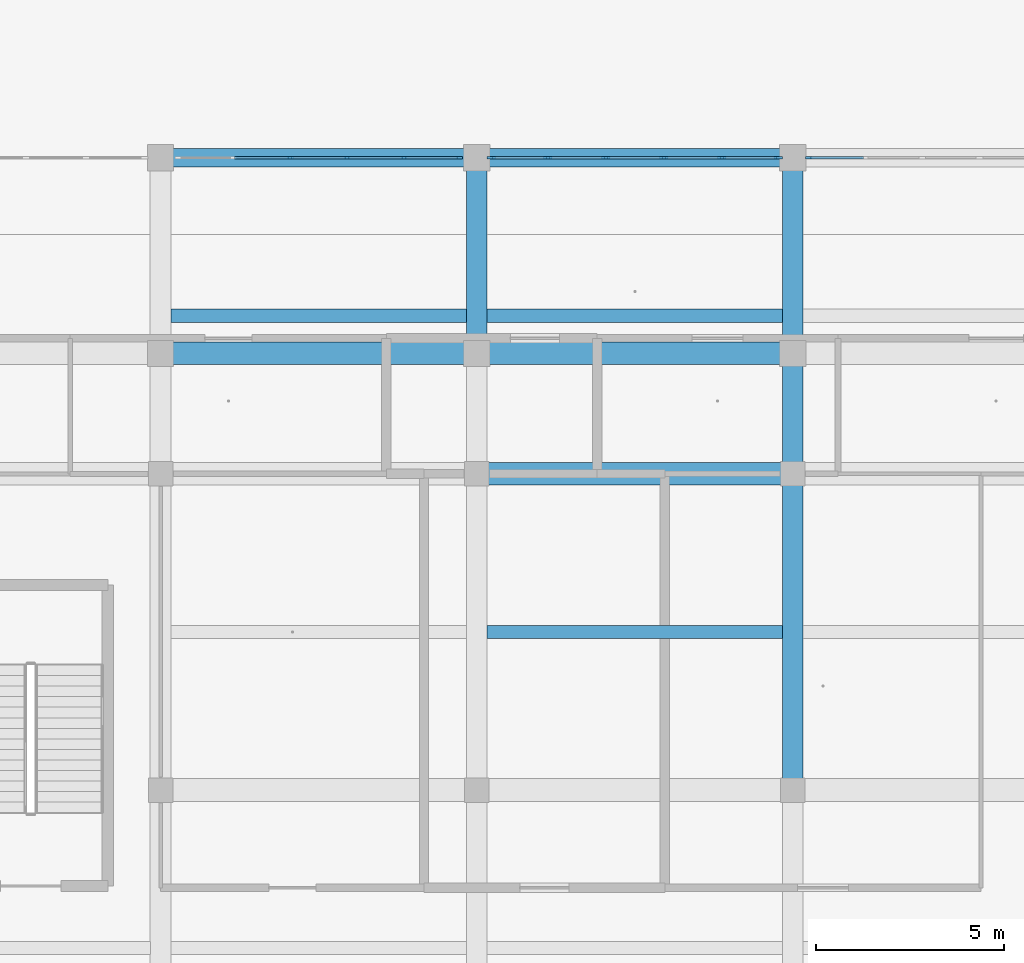
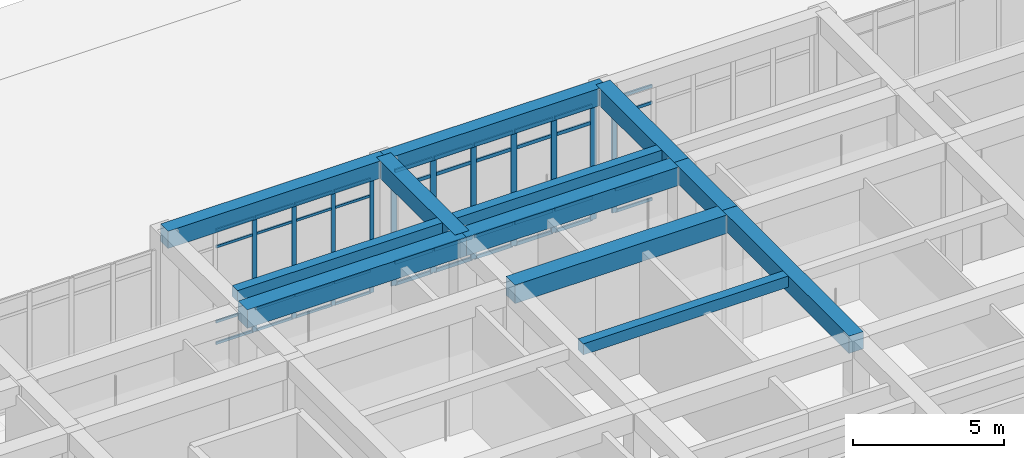
# One storey, part 34 of 167: 51 members, 12 beams, 3 elements without a shape of their own.
"""IFC4 building model written with IfcOpenShell, lengths in metres."""

from ifc_helpers import new_model, si_unit, direction, frame, origin, origin_2d, place, context, subcontext, project, spatial, rectangle, extrude, material, material_profile, profile_set, type_object, element, aggregate, save


model = new_model("IFC4")

# Units and contexts
model_context = context("Model", 3, precision=1e-05, world=origin(), true_north=direction((0.0, 1.0)))
body_context = subcontext(model_context, "Body", "Model", "MODEL_VIEW")
ifc_project = project(units=[si_unit("LENGTHUNIT", "METRE"), si_unit("AREAUNIT", "SQUARE_METRE"), si_unit("VOLUMEUNIT", "CUBIC_METRE"), si_unit("PLANEANGLEUNIT", "RADIAN"), si_unit("MASSUNIT", "GRAM", prefix="KILO")], contexts=[model_context])

# Site, building, storey
site_placement = place(None, origin())
site = spatial("IfcSite", under=ifc_project, at=site_placement, CompositionType="ELEMENT")
building_placement = place(site_placement, origin())
building = spatial("IfcBuilding", under=site, at=building_placement, Name="Varncliffe General Hospital", CompositionType="ELEMENT")
storey_placement = place(building_placement, origin())
storey = spatial("IfcBuildingStorey", under=building, at=storey_placement, Name="L00", CompositionType="ELEMENT", Elevation=0.0)

# Beams
ifc_material_1 = material(Name="Concrete C35/45 (CSA A23.1 35 MPa)", Category="concrete")
ifc_material_profile_1 = material_profile(ifc_material_1, rectangle(XDim=0.60009765625, YDim=0.75, at=origin_2d()), Name="RC 600x750")
ifc_profile_set_1 = profile_set([ifc_material_profile_1], Name="Concrete C35/45 (CSA A23.1 35 MPa)")
beam_type_1 = type_object("IfcBeamType", Name="Beam B23 (Int RC 600x750)", PredefinedType="BEAM", material=ifc_profile_set_1)
for number, where, z_axis, x_axis, name in (
    (1, (84.0, 99.60009765625, 5.02490234375), (1.0, 0.0, 0.0), (0.0, 1.0, 0.0), "L00 Primary Beam B23-160"),
    (2, (75.60009765625, 102.800048828125, 5.02490234375), (1.0, 0.0, 0.0), (0.0, 1.0, 0.0), "L00 Primary Beam B23-180"),
    (3, (84.0, 102.800048828125, 5.02490234375), (1.0, 0.0, 0.0), (0.0, 1.0, 0.0), "L00 Primary Beam B23-181"),
):
    element("IfcBeam", number, at=place(storey_placement, frame(where, z_axis=z_axis, x_axis=x_axis)), inside=storey, type_object=beam_type_1, Name=name, PredefinedType="BEAM", context=body_context, shape_type="SweptSolid", body=[
        extrude(rectangle(XDim=0.60009765625, YDim=0.75, at=origin_2d()), origin(), (0.0, 0.0, 1.0), 8.39990234375),
    ])
ifc_material_profile_2 = material_profile(ifc_material_1, rectangle(XDim=0.550048828125, YDim=0.699951171875, at=origin_2d()), Name="RC 550x700")
ifc_profile_set_2 = profile_set([ifc_material_profile_2], Name="Concrete C35/45 (CSA A23.1 35 MPa)")
beam_type_2 = type_object("IfcBeamType", Name="Beam B35 (Int RC 550x700)", PredefinedType="BEAM", material=ifc_profile_set_2)
beam_1_placement = place(storey_placement, frame((84.0, 102.800048828125, 5.050048828125), z_axis=(0.0, 1.0, 0.0), x_axis=(-1.0, 0.0, 0.0)))
element("IfcBeam", 4, at=beam_1_placement, inside=storey, type_object=beam_type_2, Name="L00 Primary Beam B35-391", PredefinedType="BEAM", context=body_context, shape_type="SweptSolid", body=[
    extrude(rectangle(XDim=0.550048828125, YDim=0.699951171875, at=origin_2d()), origin(), (0.0, 0.0, 1.0), 5.199951171875),
])
beam_2_placement = place(storey_placement, frame((92.39990234375, 91.199951171875, 5.050048828125), z_axis=(0.0, 1.0, 0.0), x_axis=(-1.0, 0.0, 0.0)))
element("IfcBeam", 5, at=beam_2_placement, inside=storey, type_object=beam_type_2, Name="L00 Primary Beam B35-396", PredefinedType="BEAM", context=body_context, shape_type="SweptSolid", body=[
    extrude(rectangle(XDim=0.550048828125, YDim=0.699951171875, at=origin_2d()), origin(), (0.0, 0.0, 1.0), 8.400146484375),
])
beam_3_placement = place(storey_placement, frame((92.39990234375, 99.60009765625, 5.050048828125), z_axis=(0.0, 1.0, 0.0), x_axis=(-1.0, 0.0, 0.0)))
element("IfcBeam", 6, at=beam_3_placement, inside=storey, type_object=beam_type_2, Name="L00 Primary Beam B35-397", PredefinedType="BEAM", context=body_context, shape_type="SweptSolid", body=[
    extrude(rectangle(XDim=0.550048828125, YDim=0.699951171875, at=origin_2d()), origin(), (0.0, 0.0, 1.0), 3.199951171875),
])
beam_4_placement = place(storey_placement, frame((92.39990234375, 102.800048828125, 5.050048828125), z_axis=(0.0, 1.0, 0.0), x_axis=(-1.0, 0.0, 0.0)))
element("IfcBeam", 7, at=beam_4_placement, inside=storey, type_object=beam_type_2, Name="L00 Primary Beam B35-398", PredefinedType="BEAM", context=body_context, shape_type="SweptSolid", body=[
    extrude(rectangle(XDim=0.550048828125, YDim=0.699951171875, at=origin_2d()), origin(), (0.0, 0.0, 1.0), 5.199951171875),
])

# Curtain wall, member
ifc_material_2 = material(Name="Triple low-E argon insulated vision glazing", Category="glass")
curtain_wall_type_1 = type_object("IfcCurtainWallType", Name="Unitised Glazed Curtain Wall CW11 (7624x4640)", PredefinedType="USERDEFINED", material=ifc_material_2)
curtain_wall_1_placement = place(storey_placement, origin())
curtain_wall_1 = element("IfcCurtainWall", 8, at=curtain_wall_1_placement, inside=storey, type_object=curtain_wall_type_1, Name="L00 Glazed Curtain Wall CW11-4", ObjectType="GLAZED CURTAIN WALL", PredefinedType="USERDEFINED")
ifc_material_3 = material(Name="Dark bronze thermally broken aluminium framing", Category="aluminium")
ifc_material_profile_3 = material_profile(ifc_material_3, rectangle(XDim=0.074951171875, YDim=0.179931640625, at=origin_2d()), Name="ALU 75x180")
ifc_profile_set_3 = profile_set([ifc_material_profile_3], Name="Dark bronze thermally broken aluminium framing")
member_type_1 = type_object("IfcMemberType", Name="Curtain Wall Mullion CM44 (ALU 75x180)", PredefinedType="MULLION", material=ifc_profile_set_3)
member_1_placement = place(storey_placement, frame((92.825439453125, 108.0, 0.0), z_axis=(0.0, 0.0, 1.0), x_axis=(0.0, 1.0, 0.0)))
member_1 = element("IfcMember", 9, at=member_1_placement, type_object=member_type_1, Name="CW11 mullion 1", PredefinedType="MULLION", context=body_context, shape_type="SweptSolid", body=[
    extrude(rectangle(XDim=0.074951171875, YDim=0.179931640625, at=origin_2d()), origin(), (0.0, 0.0, 1.0), 4.639892578125),
])

# Curtain wall, members
curtain_wall_type_2 = type_object("IfcCurtainWallType", Name="Unitised Glazed Curtain Wall CW47 (7544x4640)", PredefinedType="USERDEFINED", material=ifc_material_2)
curtain_wall_2_placement = place(storey_placement, origin())
curtain_wall_2 = element("IfcCurtainWall", 10, at=curtain_wall_2_placement, inside=storey, type_object=curtain_wall_type_2, Name="L00 Glazed Curtain Wall CW47-2", ObjectType="GLAZED CURTAIN WALL", PredefinedType="USERDEFINED")
ifc_material_profile_4 = material_profile(ifc_material_3, rectangle(XDim=0.06494140625, YDim=0.159912109375, at=origin_2d()), Name="ALU 65x160")
ifc_profile_set_4 = profile_set([ifc_material_profile_4], Name="Dark bronze thermally broken aluminium framing")
member_type_2 = type_object("IfcMemberType", Name="Curtain Wall Mullion CM65 (ALU 65x160)", PredefinedType="MULLION", material=ifc_profile_set_4)
member_2_placement = place(storey_placement, frame((79.045654296875, 108.0, 0.0), z_axis=(0.0, 0.0, 1.0), x_axis=(0.0, 1.0, 0.0)))
member_2 = element("IfcMember", 11, at=member_2_placement, type_object=member_type_2, Name="CW47 mullion 3", PredefinedType="MULLION", context=body_context, shape_type="SweptSolid", body=[
    extrude(rectangle(XDim=0.06494140625, YDim=0.159912109375, at=origin_2d()), origin(), (0.0, 0.0, 1.0), 4.639892578125),
])
member_3_placement = place(storey_placement, frame((80.554443359375, 108.0, 0.0), z_axis=(0.0, 0.0, 1.0), x_axis=(0.0, 1.0, 0.0)))
member_3 = element("IfcMember", 12, at=member_3_placement, type_object=member_type_2, Name="CW47 mullion 4", PredefinedType="MULLION", context=body_context, shape_type="SweptSolid", body=[
    extrude(rectangle(XDim=0.06494140625, YDim=0.159912109375, at=origin_2d()), origin(), (0.0, 0.0, 1.0), 4.639892578125),
])
member_4_placement = place(storey_placement, frame((82.063232421875, 108.0, 0.0), z_axis=(0.0, 0.0, 1.0), x_axis=(0.0, 1.0, 0.0)))
member_4 = element("IfcMember", 13, at=member_4_placement, type_object=member_type_2, Name="CW47 mullion 5", PredefinedType="MULLION", context=body_context, shape_type="SweptSolid", body=[
    extrude(rectangle(XDim=0.06494140625, YDim=0.159912109375, at=origin_2d()), origin(), (0.0, 0.0, 1.0), 4.639892578125),
])
member_5_placement = place(storey_placement, frame((83.53955078125, 108.0, 0.0), z_axis=(0.0, 0.0, 1.0), x_axis=(0.0, 1.0, 0.0)))
member_5 = element("IfcMember", 14, at=member_5_placement, type_object=member_type_2, Name="CW47 mullion 6", PredefinedType="MULLION", context=body_context, shape_type="SweptSolid", body=[
    extrude(rectangle(XDim=0.06494140625, YDim=0.159912109375, at=origin_2d()), origin(), (0.0, 0.0, 1.0), 4.639892578125),
])

curtain_wall_type_3 = type_object("IfcCurtainWallType", Name="Unitised Glazed Curtain Wall CW51 (7704x4640)", PredefinedType="USERDEFINED", material=ifc_material_2)
curtain_wall_3_placement = place(storey_placement, origin())
curtain_wall_3 = element("IfcCurtainWall", 15, at=curtain_wall_3_placement, inside=storey, type_object=curtain_wall_type_3, Name="L00 Glazed Curtain Wall CW51-3", ObjectType="GLAZED CURTAIN WALL", PredefinedType="USERDEFINED")
ifc_material_profile_5 = material_profile(ifc_material_3, rectangle(XDim=0.074951171875, YDim=0.219970703125, at=origin_2d()), Name="ALU 75x220")
ifc_profile_set_5 = profile_set([ifc_material_profile_5], Name="Dark bronze thermally broken aluminium framing")
member_type_3 = type_object("IfcMemberType", Name="Curtain Wall Mullion CM74 (ALU 75x220)", PredefinedType="MULLION", material=ifc_profile_set_5)
member_6_placement = place(storey_placement, frame((84.385498046875, 108.0, 0.0), z_axis=(0.0, 0.0, 1.0), x_axis=(0.0, 1.0, 0.0)))
member_6 = element("IfcMember", 16, at=member_6_placement, type_object=member_type_3, Name="CW51 mullion 1", PredefinedType="MULLION", context=body_context, shape_type="SweptSolid", body=[
    extrude(rectangle(XDim=0.074951171875, YDim=0.219970703125, at=origin_2d()), origin(), (0.0, 0.0, 1.0), 4.639892578125),
])
member_7_placement = place(storey_placement, frame((85.888916015625, 108.0, 0.0), z_axis=(0.0, 0.0, 1.0), x_axis=(0.0, 1.0, 0.0)))
member_7 = element("IfcMember", 17, at=member_7_placement, type_object=member_type_3, Name="CW51 mullion 2", PredefinedType="MULLION", context=body_context, shape_type="SweptSolid", body=[
    extrude(rectangle(XDim=0.074951171875, YDim=0.219970703125, at=origin_2d()), origin(), (0.0, 0.0, 1.0), 4.639892578125),
])
member_8_placement = place(storey_placement, frame((87.4296875, 108.0, 0.0), z_axis=(0.0, 0.0, 1.0), x_axis=(0.0, 1.0, 0.0)))
member_8 = element("IfcMember", 18, at=member_8_placement, type_object=member_type_3, Name="CW51 mullion 3", PredefinedType="MULLION", context=body_context, shape_type="SweptSolid", body=[
    extrude(rectangle(XDim=0.074951171875, YDim=0.219970703125, at=origin_2d()), origin(), (0.0, 0.0, 1.0), 4.639892578125),
])
member_9_placement = place(storey_placement, frame((88.970458984375, 108.0, 0.0), z_axis=(0.0, 0.0, 1.0), x_axis=(0.0, 1.0, 0.0)))
member_9 = element("IfcMember", 19, at=member_9_placement, type_object=member_type_3, Name="CW51 mullion 4", PredefinedType="MULLION", context=body_context, shape_type="SweptSolid", body=[
    extrude(rectangle(XDim=0.074951171875, YDim=0.219970703125, at=origin_2d()), origin(), (0.0, 0.0, 1.0), 4.639892578125),
])
member_10_placement = place(storey_placement, frame((90.51123046875, 108.0, 0.0), z_axis=(0.0, 0.0, 1.0), x_axis=(0.0, 1.0, 0.0)))
member_10 = element("IfcMember", 20, at=member_10_placement, type_object=member_type_3, Name="CW51 mullion 5", PredefinedType="MULLION", context=body_context, shape_type="SweptSolid", body=[
    extrude(rectangle(XDim=0.074951171875, YDim=0.219970703125, at=origin_2d()), origin(), (0.0, 0.0, 1.0), 4.639892578125),
])
member_11_placement = place(storey_placement, frame((92.014404296875, 108.0, 0.0), z_axis=(0.0, 0.0, 1.0), x_axis=(0.0, 1.0, 0.0)))
member_11 = element("IfcMember", 21, at=member_11_placement, type_object=member_type_3, Name="CW51 mullion 6", PredefinedType="MULLION", context=body_context, shape_type="SweptSolid", body=[
    extrude(rectangle(XDim=0.074951171875, YDim=0.219970703125, at=origin_2d()), origin(), (0.0, 0.0, 1.0), 4.639892578125),
])

# Member
ifc_material_profile_6 = material_profile(ifc_material_3, rectangle(XDim=0.06005859375, YDim=0.1201171875, at=origin_2d()), Name="ALU 60x120")
ifc_profile_set_6 = profile_set([ifc_material_profile_6], Name="Dark bronze thermally broken aluminium framing")
member_type_4 = type_object("IfcMemberType", Name="Curtain Wall Transom CT14 (ALU 60x120)", PredefinedType="USERDEFINED", material=ifc_profile_set_6)
member_12_placement = place(storey_placement, frame((92.863037109375, 108.0, 0.030029296875), z_axis=(1.0, 0.0, 0.0), x_axis=(0.0, 1.0, 0.0)))
member_12 = element("IfcMember", 22, at=member_12_placement, type_object=member_type_4, Name="CW11 transom 1.1", ObjectType="TRANSOM", PredefinedType="USERDEFINED", context=body_context, shape_type="SweptSolid", body=[
    extrude(rectangle(XDim=0.06005859375, YDim=0.1201171875, at=origin_2d()), origin(), (0.0, 0.0, 1.0), 1.412353515625),
])

member_13_placement = place(storey_placement, frame((92.863037109375, 108.0, 0.89990234375), z_axis=(1.0, 0.0, 0.0), x_axis=(0.0, 1.0, 0.0)))
member_13 = element("IfcMember", 23, at=member_13_placement, type_object=member_type_4, Name="CW11 transom 1.2", ObjectType="TRANSOM", PredefinedType="USERDEFINED", context=body_context, shape_type="SweptSolid", body=[
    extrude(rectangle(XDim=0.06005859375, YDim=0.1201171875, at=origin_2d()), origin(), (0.0, 0.0, 1.0), 1.412353515625),
])

member_14_placement = place(storey_placement, frame((92.863037109375, 108.0, 3.93994140625), z_axis=(1.0, 0.0, 0.0), x_axis=(0.0, 1.0, 0.0)))
member_14 = element("IfcMember", 24, at=member_14_placement, type_object=member_type_4, Name="CW11 transom 1.3", ObjectType="TRANSOM", PredefinedType="USERDEFINED", context=body_context, shape_type="SweptSolid", body=[
    extrude(rectangle(XDim=0.06005859375, YDim=0.1201171875, at=origin_2d()), origin(), (0.0, 0.0, 1.0), 1.412353515625),
])

member_15_placement = place(storey_placement, frame((92.863037109375, 108.0, 4.610107421875), z_axis=(1.0, 0.0, 0.0), x_axis=(0.0, 1.0, 0.0)))
member_15 = element("IfcMember", 25, at=member_15_placement, type_object=member_type_4, Name="CW11 transom 1.4", ObjectType="TRANSOM", PredefinedType="USERDEFINED", context=body_context, shape_type="SweptSolid", body=[
    extrude(rectangle(XDim=0.06005859375, YDim=0.1201171875, at=origin_2d()), origin(), (0.0, 0.0, 1.0), 1.412353515625),
])

aggregate(curtain_wall_1, [member_1, member_12, member_13, member_14, member_15])

ifc_material_profile_7 = material_profile(ifc_material_3, rectangle(XDim=0.06005859375, YDim=0.10009765625, at=origin_2d()), Name="ALU 60x100")
ifc_profile_set_7 = profile_set([ifc_material_profile_7], Name="Dark bronze thermally broken aluminium framing")
member_type_5 = type_object("IfcMemberType", Name="Curtain Wall Transom CT18 (ALU 60x100)", PredefinedType="USERDEFINED", material=ifc_profile_set_7)
member_16_placement = place(storey_placement, frame((77.5693359375, 108.0, 0.030029296875), z_axis=(1.0, 0.0, 0.0), x_axis=(0.0, 1.0, 0.0)))
member_16 = element("IfcMember", 26, at=member_16_placement, type_object=member_type_5, Name="CW47 transom 2.1", ObjectType="TRANSOM", PredefinedType="USERDEFINED", context=body_context, shape_type="SweptSolid", body=[
    extrude(rectangle(XDim=0.06005859375, YDim=0.10009765625, at=origin_2d()), origin(), (0.0, 0.0, 1.0), 1.44384765625),
])

member_17_placement = place(storey_placement, frame((77.5693359375, 108.0, 0.89990234375), z_axis=(1.0, 0.0, 0.0), x_axis=(0.0, 1.0, 0.0)))
member_17 = element("IfcMember", 27, at=member_17_placement, type_object=member_type_5, Name="CW47 transom 2.2", ObjectType="TRANSOM", PredefinedType="USERDEFINED", context=body_context, shape_type="SweptSolid", body=[
    extrude(rectangle(XDim=0.06005859375, YDim=0.10009765625, at=origin_2d()), origin(), (0.0, 0.0, 1.0), 1.44384765625),
])

member_18_placement = place(storey_placement, frame((77.5693359375, 108.0, 3.93994140625), z_axis=(1.0, 0.0, 0.0), x_axis=(0.0, 1.0, 0.0)))
member_18 = element("IfcMember", 28, at=member_18_placement, type_object=member_type_5, Name="CW47 transom 2.3", ObjectType="TRANSOM", PredefinedType="USERDEFINED", context=body_context, shape_type="SweptSolid", body=[
    extrude(rectangle(XDim=0.06005859375, YDim=0.10009765625, at=origin_2d()), origin(), (0.0, 0.0, 1.0), 1.44384765625),
])

member_19_placement = place(storey_placement, frame((77.5693359375, 108.0, 4.610107421875), z_axis=(1.0, 0.0, 0.0), x_axis=(0.0, 1.0, 0.0)))
member_19 = element("IfcMember", 29, at=member_19_placement, type_object=member_type_5, Name="CW47 transom 2.4", ObjectType="TRANSOM", PredefinedType="USERDEFINED", context=body_context, shape_type="SweptSolid", body=[
    extrude(rectangle(XDim=0.06005859375, YDim=0.10009765625, at=origin_2d()), origin(), (0.0, 0.0, 1.0), 1.44384765625),
])

member_20_placement = place(storey_placement, frame((79.078125, 108.0, 0.030029296875), z_axis=(1.0, 0.0, 0.0), x_axis=(0.0, 1.0, 0.0)))
member_20 = element("IfcMember", 30, at=member_20_placement, type_object=member_type_5, Name="CW47 transom 3.1", ObjectType="TRANSOM", PredefinedType="USERDEFINED", context=body_context, shape_type="SweptSolid", body=[
    extrude(rectangle(XDim=0.06005859375, YDim=0.10009765625, at=origin_2d()), origin(), (0.0, 0.0, 1.0), 1.44384765625),
])

member_21_placement = place(storey_placement, frame((79.078125, 108.0, 0.89990234375), z_axis=(1.0, 0.0, 0.0), x_axis=(0.0, 1.0, 0.0)))
member_21 = element("IfcMember", 31, at=member_21_placement, type_object=member_type_5, Name="CW47 transom 3.2", ObjectType="TRANSOM", PredefinedType="USERDEFINED", context=body_context, shape_type="SweptSolid", body=[
    extrude(rectangle(XDim=0.06005859375, YDim=0.10009765625, at=origin_2d()), origin(), (0.0, 0.0, 1.0), 1.44384765625),
])

member_22_placement = place(storey_placement, frame((79.078125, 108.0, 3.93994140625), z_axis=(1.0, 0.0, 0.0), x_axis=(0.0, 1.0, 0.0)))
member_22 = element("IfcMember", 32, at=member_22_placement, type_object=member_type_5, Name="CW47 transom 3.3", ObjectType="TRANSOM", PredefinedType="USERDEFINED", context=body_context, shape_type="SweptSolid", body=[
    extrude(rectangle(XDim=0.06005859375, YDim=0.10009765625, at=origin_2d()), origin(), (0.0, 0.0, 1.0), 1.44384765625),
])

member_23_placement = place(storey_placement, frame((79.078125, 108.0, 4.610107421875), z_axis=(1.0, 0.0, 0.0), x_axis=(0.0, 1.0, 0.0)))
member_23 = element("IfcMember", 33, at=member_23_placement, type_object=member_type_5, Name="CW47 transom 3.4", ObjectType="TRANSOM", PredefinedType="USERDEFINED", context=body_context, shape_type="SweptSolid", body=[
    extrude(rectangle(XDim=0.06005859375, YDim=0.10009765625, at=origin_2d()), origin(), (0.0, 0.0, 1.0), 1.44384765625),
])

member_24_placement = place(storey_placement, frame((80.5869140625, 108.0, 0.030029296875), z_axis=(1.0, 0.0, 0.0), x_axis=(0.0, 1.0, 0.0)))
member_24 = element("IfcMember", 34, at=member_24_placement, type_object=member_type_5, Name="CW47 transom 4.1", ObjectType="TRANSOM", PredefinedType="USERDEFINED", context=body_context, shape_type="SweptSolid", body=[
    extrude(rectangle(XDim=0.06005859375, YDim=0.10009765625, at=origin_2d()), origin(), (0.0, 0.0, 1.0), 1.44384765625),
])

member_25_placement = place(storey_placement, frame((80.5869140625, 108.0, 0.89990234375), z_axis=(1.0, 0.0, 0.0), x_axis=(0.0, 1.0, 0.0)))
member_25 = element("IfcMember", 35, at=member_25_placement, type_object=member_type_5, Name="CW47 transom 4.2", ObjectType="TRANSOM", PredefinedType="USERDEFINED", context=body_context, shape_type="SweptSolid", body=[
    extrude(rectangle(XDim=0.06005859375, YDim=0.10009765625, at=origin_2d()), origin(), (0.0, 0.0, 1.0), 1.44384765625),
])

member_26_placement = place(storey_placement, frame((80.5869140625, 108.0, 3.93994140625), z_axis=(1.0, 0.0, 0.0), x_axis=(0.0, 1.0, 0.0)))
member_26 = element("IfcMember", 36, at=member_26_placement, type_object=member_type_5, Name="CW47 transom 4.3", ObjectType="TRANSOM", PredefinedType="USERDEFINED", context=body_context, shape_type="SweptSolid", body=[
    extrude(rectangle(XDim=0.06005859375, YDim=0.10009765625, at=origin_2d()), origin(), (0.0, 0.0, 1.0), 1.44384765625),
])

member_27_placement = place(storey_placement, frame((80.5869140625, 108.0, 4.610107421875), z_axis=(1.0, 0.0, 0.0), x_axis=(0.0, 1.0, 0.0)))
member_27 = element("IfcMember", 37, at=member_27_placement, type_object=member_type_5, Name="CW47 transom 4.4", ObjectType="TRANSOM", PredefinedType="USERDEFINED", context=body_context, shape_type="SweptSolid", body=[
    extrude(rectangle(XDim=0.06005859375, YDim=0.10009765625, at=origin_2d()), origin(), (0.0, 0.0, 1.0), 1.44384765625),
])

member_28_placement = place(storey_placement, frame((82.095703125, 108.0, 0.030029296875), z_axis=(1.0, 0.0, 0.0), x_axis=(0.0, 1.0, 0.0)))
member_28 = element("IfcMember", 38, at=member_28_placement, type_object=member_type_5, Name="CW47 transom 5.1", ObjectType="TRANSOM", PredefinedType="USERDEFINED", context=body_context, shape_type="SweptSolid", body=[
    extrude(rectangle(XDim=0.06005859375, YDim=0.10009765625, at=origin_2d()), origin(), (0.0, 0.0, 1.0), 1.411376953125),
])

member_29_placement = place(storey_placement, frame((82.095703125, 108.0, 0.89990234375), z_axis=(1.0, 0.0, 0.0), x_axis=(0.0, 1.0, 0.0)))
member_29 = element("IfcMember", 39, at=member_29_placement, type_object=member_type_5, Name="CW47 transom 5.2", ObjectType="TRANSOM", PredefinedType="USERDEFINED", context=body_context, shape_type="SweptSolid", body=[
    extrude(rectangle(XDim=0.06005859375, YDim=0.10009765625, at=origin_2d()), origin(), (0.0, 0.0, 1.0), 1.411376953125),
])

member_30_placement = place(storey_placement, frame((82.095703125, 108.0, 3.93994140625), z_axis=(1.0, 0.0, 0.0), x_axis=(0.0, 1.0, 0.0)))
member_30 = element("IfcMember", 40, at=member_30_placement, type_object=member_type_5, Name="CW47 transom 5.3", ObjectType="TRANSOM", PredefinedType="USERDEFINED", context=body_context, shape_type="SweptSolid", body=[
    extrude(rectangle(XDim=0.06005859375, YDim=0.10009765625, at=origin_2d()), origin(), (0.0, 0.0, 1.0), 1.411376953125),
])

member_31_placement = place(storey_placement, frame((82.095703125, 108.0, 4.610107421875), z_axis=(1.0, 0.0, 0.0), x_axis=(0.0, 1.0, 0.0)))
member_31 = element("IfcMember", 41, at=member_31_placement, type_object=member_type_5, Name="CW47 transom 5.4", ObjectType="TRANSOM", PredefinedType="USERDEFINED", context=body_context, shape_type="SweptSolid", body=[
    extrude(rectangle(XDim=0.06005859375, YDim=0.10009765625, at=origin_2d()), origin(), (0.0, 0.0, 1.0), 1.411376953125),
])

aggregate(curtain_wall_2, [member_2, member_3, member_4, member_5, member_16, member_17, member_18, member_19, member_20, member_21, member_22, member_23, member_24, member_25, member_26, member_27, member_28, member_29, member_30, member_31])

ifc_material_profile_8 = material_profile(ifc_material_3, rectangle(XDim=0.06494140625, YDim=0.139892578125, at=origin_2d()), Name="ALU 65x140")
ifc_profile_set_8 = profile_set([ifc_material_profile_8], Name="Dark bronze thermally broken aluminium framing")
member_type_6 = type_object("IfcMemberType", Name="Curtain Wall Transom CT69 (ALU 65x140)", PredefinedType="USERDEFINED", material=ifc_profile_set_8)
member_32_placement = place(storey_placement, frame((84.423095703125, 108.0, 0.032470703125), z_axis=(1.0, 0.0, 0.0), x_axis=(0.0, 1.0, 0.0)))
member_32 = element("IfcMember", 42, at=member_32_placement, type_object=member_type_6, Name="CW51 transom 1.1", ObjectType="TRANSOM", PredefinedType="USERDEFINED", context=body_context, shape_type="SweptSolid", body=[
    extrude(rectangle(XDim=0.06494140625, YDim=0.139892578125, at=origin_2d()), origin(), (0.0, 0.0, 1.0), 1.42822265625),
])

member_33_placement = place(storey_placement, frame((84.423095703125, 108.0, 0.89990234375), z_axis=(1.0, 0.0, 0.0), x_axis=(0.0, 1.0, 0.0)))
member_33 = element("IfcMember", 43, at=member_33_placement, type_object=member_type_6, Name="CW51 transom 1.2", ObjectType="TRANSOM", PredefinedType="USERDEFINED", context=body_context, shape_type="SweptSolid", body=[
    extrude(rectangle(XDim=0.06494140625, YDim=0.139892578125, at=origin_2d()), origin(), (0.0, 0.0, 1.0), 1.42822265625),
])

member_34_placement = place(storey_placement, frame((84.423095703125, 108.0, 3.93994140625), z_axis=(1.0, 0.0, 0.0), x_axis=(0.0, 1.0, 0.0)))
member_34 = element("IfcMember", 44, at=member_34_placement, type_object=member_type_6, Name="CW51 transom 1.3", ObjectType="TRANSOM", PredefinedType="USERDEFINED", context=body_context, shape_type="SweptSolid", body=[
    extrude(rectangle(XDim=0.06494140625, YDim=0.139892578125, at=origin_2d()), origin(), (0.0, 0.0, 1.0), 1.42822265625),
])

member_35_placement = place(storey_placement, frame((84.423095703125, 108.0, 4.607421875), z_axis=(1.0, 0.0, 0.0), x_axis=(0.0, 1.0, 0.0)))
member_35 = element("IfcMember", 45, at=member_35_placement, type_object=member_type_6, Name="CW51 transom 1.4", ObjectType="TRANSOM", PredefinedType="USERDEFINED", context=body_context, shape_type="SweptSolid", body=[
    extrude(rectangle(XDim=0.06494140625, YDim=0.139892578125, at=origin_2d()), origin(), (0.0, 0.0, 1.0), 1.42822265625),
])

member_36_placement = place(storey_placement, frame((85.92626953125, 108.0, 0.032470703125), z_axis=(1.0, 0.0, 0.0), x_axis=(0.0, 1.0, 0.0)))
member_36 = element("IfcMember", 46, at=member_36_placement, type_object=member_type_6, Name="CW51 transom 2.1", ObjectType="TRANSOM", PredefinedType="USERDEFINED", context=body_context, shape_type="SweptSolid", body=[
    extrude(rectangle(XDim=0.06494140625, YDim=0.139892578125, at=origin_2d()), origin(), (0.0, 0.0, 1.0), 1.4658203125),
])

member_37_placement = place(storey_placement, frame((85.92626953125, 108.0, 0.89990234375), z_axis=(1.0, 0.0, 0.0), x_axis=(0.0, 1.0, 0.0)))
member_37 = element("IfcMember", 47, at=member_37_placement, type_object=member_type_6, Name="CW51 transom 2.2", ObjectType="TRANSOM", PredefinedType="USERDEFINED", context=body_context, shape_type="SweptSolid", body=[
    extrude(rectangle(XDim=0.06494140625, YDim=0.139892578125, at=origin_2d()), origin(), (0.0, 0.0, 1.0), 1.4658203125),
])

member_38_placement = place(storey_placement, frame((85.92626953125, 108.0, 3.93994140625), z_axis=(1.0, 0.0, 0.0), x_axis=(0.0, 1.0, 0.0)))
member_38 = element("IfcMember", 48, at=member_38_placement, type_object=member_type_6, Name="CW51 transom 2.3", ObjectType="TRANSOM", PredefinedType="USERDEFINED", context=body_context, shape_type="SweptSolid", body=[
    extrude(rectangle(XDim=0.06494140625, YDim=0.139892578125, at=origin_2d()), origin(), (0.0, 0.0, 1.0), 1.4658203125),
])

member_39_placement = place(storey_placement, frame((85.92626953125, 108.0, 4.607421875), z_axis=(1.0, 0.0, 0.0), x_axis=(0.0, 1.0, 0.0)))
member_39 = element("IfcMember", 49, at=member_39_placement, type_object=member_type_6, Name="CW51 transom 2.4", ObjectType="TRANSOM", PredefinedType="USERDEFINED", context=body_context, shape_type="SweptSolid", body=[
    extrude(rectangle(XDim=0.06494140625, YDim=0.139892578125, at=origin_2d()), origin(), (0.0, 0.0, 1.0), 1.4658203125),
])

member_40_placement = place(storey_placement, frame((87.467041015625, 108.0, 0.032470703125), z_axis=(1.0, 0.0, 0.0), x_axis=(0.0, 1.0, 0.0)))
member_40 = element("IfcMember", 50, at=member_40_placement, type_object=member_type_6, Name="CW51 transom 3.1", ObjectType="TRANSOM", PredefinedType="USERDEFINED", context=body_context, shape_type="SweptSolid", body=[
    extrude(rectangle(XDim=0.06494140625, YDim=0.139892578125, at=origin_2d()), origin(), (0.0, 0.0, 1.0), 1.4658203125),
])

member_41_placement = place(storey_placement, frame((87.467041015625, 108.0, 0.89990234375), z_axis=(1.0, 0.0, 0.0), x_axis=(0.0, 1.0, 0.0)))
member_41 = element("IfcMember", 51, at=member_41_placement, type_object=member_type_6, Name="CW51 transom 3.2", ObjectType="TRANSOM", PredefinedType="USERDEFINED", context=body_context, shape_type="SweptSolid", body=[
    extrude(rectangle(XDim=0.06494140625, YDim=0.139892578125, at=origin_2d()), origin(), (0.0, 0.0, 1.0), 1.4658203125),
])

member_42_placement = place(storey_placement, frame((87.467041015625, 108.0, 3.93994140625), z_axis=(1.0, 0.0, 0.0), x_axis=(0.0, 1.0, 0.0)))
member_42 = element("IfcMember", 52, at=member_42_placement, type_object=member_type_6, Name="CW51 transom 3.3", ObjectType="TRANSOM", PredefinedType="USERDEFINED", context=body_context, shape_type="SweptSolid", body=[
    extrude(rectangle(XDim=0.06494140625, YDim=0.139892578125, at=origin_2d()), origin(), (0.0, 0.0, 1.0), 1.4658203125),
])

member_43_placement = place(storey_placement, frame((87.467041015625, 108.0, 4.607421875), z_axis=(1.0, 0.0, 0.0), x_axis=(0.0, 1.0, 0.0)))
member_43 = element("IfcMember", 53, at=member_43_placement, type_object=member_type_6, Name="CW51 transom 3.4", ObjectType="TRANSOM", PredefinedType="USERDEFINED", context=body_context, shape_type="SweptSolid", body=[
    extrude(rectangle(XDim=0.06494140625, YDim=0.139892578125, at=origin_2d()), origin(), (0.0, 0.0, 1.0), 1.4658203125),
])

member_44_placement = place(storey_placement, frame((89.0078125, 108.0, 0.032470703125), z_axis=(1.0, 0.0, 0.0), x_axis=(0.0, 1.0, 0.0)))
member_44 = element("IfcMember", 54, at=member_44_placement, type_object=member_type_6, Name="CW51 transom 4.1", ObjectType="TRANSOM", PredefinedType="USERDEFINED", context=body_context, shape_type="SweptSolid", body=[
    extrude(rectangle(XDim=0.06494140625, YDim=0.139892578125, at=origin_2d()), origin(), (0.0, 0.0, 1.0), 1.4658203125),
])

member_45_placement = place(storey_placement, frame((89.0078125, 108.0, 0.89990234375), z_axis=(1.0, 0.0, 0.0), x_axis=(0.0, 1.0, 0.0)))
member_45 = element("IfcMember", 55, at=member_45_placement, type_object=member_type_6, Name="CW51 transom 4.2", ObjectType="TRANSOM", PredefinedType="USERDEFINED", context=body_context, shape_type="SweptSolid", body=[
    extrude(rectangle(XDim=0.06494140625, YDim=0.139892578125, at=origin_2d()), origin(), (0.0, 0.0, 1.0), 1.4658203125),
])

member_46_placement = place(storey_placement, frame((89.0078125, 108.0, 3.93994140625), z_axis=(1.0, 0.0, 0.0), x_axis=(0.0, 1.0, 0.0)))
member_46 = element("IfcMember", 56, at=member_46_placement, type_object=member_type_6, Name="CW51 transom 4.3", ObjectType="TRANSOM", PredefinedType="USERDEFINED", context=body_context, shape_type="SweptSolid", body=[
    extrude(rectangle(XDim=0.06494140625, YDim=0.139892578125, at=origin_2d()), origin(), (0.0, 0.0, 1.0), 1.4658203125),
])

member_47_placement = place(storey_placement, frame((89.0078125, 108.0, 4.607421875), z_axis=(1.0, 0.0, 0.0), x_axis=(0.0, 1.0, 0.0)))
member_47 = element("IfcMember", 57, at=member_47_placement, type_object=member_type_6, Name="CW51 transom 4.4", ObjectType="TRANSOM", PredefinedType="USERDEFINED", context=body_context, shape_type="SweptSolid", body=[
    extrude(rectangle(XDim=0.06494140625, YDim=0.139892578125, at=origin_2d()), origin(), (0.0, 0.0, 1.0), 1.4658203125),
])

member_48_placement = place(storey_placement, frame((90.548583984375, 108.0, 0.032470703125), z_axis=(1.0, 0.0, 0.0), x_axis=(0.0, 1.0, 0.0)))
member_48 = element("IfcMember", 58, at=member_48_placement, type_object=member_type_6, Name="CW51 transom 5.1", ObjectType="TRANSOM", PredefinedType="USERDEFINED", context=body_context, shape_type="SweptSolid", body=[
    extrude(rectangle(XDim=0.06494140625, YDim=0.139892578125, at=origin_2d()), origin(), (0.0, 0.0, 1.0), 1.428466796875),
])

member_49_placement = place(storey_placement, frame((90.548583984375, 108.0, 0.89990234375), z_axis=(1.0, 0.0, 0.0), x_axis=(0.0, 1.0, 0.0)))
member_49 = element("IfcMember", 59, at=member_49_placement, type_object=member_type_6, Name="CW51 transom 5.2", ObjectType="TRANSOM", PredefinedType="USERDEFINED", context=body_context, shape_type="SweptSolid", body=[
    extrude(rectangle(XDim=0.06494140625, YDim=0.139892578125, at=origin_2d()), origin(), (0.0, 0.0, 1.0), 1.428466796875),
])

member_50_placement = place(storey_placement, frame((90.548583984375, 108.0, 3.93994140625), z_axis=(1.0, 0.0, 0.0), x_axis=(0.0, 1.0, 0.0)))
member_50 = element("IfcMember", 60, at=member_50_placement, type_object=member_type_6, Name="CW51 transom 5.3", ObjectType="TRANSOM", PredefinedType="USERDEFINED", context=body_context, shape_type="SweptSolid", body=[
    extrude(rectangle(XDim=0.06494140625, YDim=0.139892578125, at=origin_2d()), origin(), (0.0, 0.0, 1.0), 1.428466796875),
])

member_51_placement = place(storey_placement, frame((90.548583984375, 108.0, 4.607421875), z_axis=(1.0, 0.0, 0.0), x_axis=(0.0, 1.0, 0.0)))
member_51 = element("IfcMember", 61, at=member_51_placement, type_object=member_type_6, Name="CW51 transom 5.4", ObjectType="TRANSOM", PredefinedType="USERDEFINED", context=body_context, shape_type="SweptSolid", body=[
    extrude(rectangle(XDim=0.06494140625, YDim=0.139892578125, at=origin_2d()), origin(), (0.0, 0.0, 1.0), 1.428466796875),
])

aggregate(curtain_wall_3, [member_6, member_7, member_8, member_9, member_10, member_11, member_32, member_33, member_34, member_35, member_36, member_37, member_38, member_39, member_40, member_41, member_42, member_43, member_44, member_45, member_46, member_47, member_48, member_49, member_50, member_51])

# Beams
ifc_material_profile_9 = material_profile(ifc_material_1, rectangle(XDim=0.35009765625, YDim=0.449951171875, at=origin_2d()), Name="RC 350x450")
ifc_profile_set_9 = profile_set([ifc_material_profile_9], Name="Concrete C35/45 (CSA A23.1 35 MPa)")
beam_type_3 = type_object("IfcBeamType", Name="Joist J55 (Int RC 350x450)", PredefinedType="JOIST", material=ifc_profile_set_9)
for number, where, z_axis, x_axis, name in (
    (62, (75.873046875, 103.800048828125, 5.175048828125), (1.0, 0.0, 0.0), (0.0, 1.0, 0.0), "L00 Secondary Floor Rib J55-39"),
    (63, (84.27294921875, 95.39990234375, 5.175048828125), (1.0, 0.0, 0.0), (0.0, 1.0, 0.0), "L00 Secondary Floor Rib J55-44"),
    (64, (84.27294921875, 103.800048828125, 5.175048828125), (1.0, 0.0, 0.0), (0.0, 1.0, 0.0), "L00 Secondary Floor Rib J55-45"),
):
    element("IfcBeam", number, at=place(storey_placement, frame(where, z_axis=z_axis, x_axis=x_axis)), inside=storey, type_object=beam_type_3, Name=name, PredefinedType="JOIST", context=body_context, shape_type="SweptSolid", body=[
        extrude(rectangle(XDim=0.35009765625, YDim=0.449951171875, at=origin_2d()), origin(), (0.0, 0.0, 1.0), 7.85400390625),
    ])
ifc_material_profile_10 = material_profile(ifc_material_1, rectangle(XDim=0.5, YDim=0.699951171875, at=origin_2d()), Name="RC 500x700")
ifc_profile_set_10 = profile_set([ifc_material_profile_10], Name="Concrete C35/45 (CSA A23.1 35 MPa)")
beam_type_4 = type_object("IfcBeamType", Name="Spandrel SP19 (Ext RC 500x700)", PredefinedType="SPANDREL", material=ifc_profile_set_10)
for number, where, z_axis, x_axis, name in (
    (65, (75.60009765625, 108.0, 5.050048828125), (1.0, 0.0, 0.0), (0.0, 1.0, 0.0), "L00 Spandrel Beam SP19-208"),
    (66, (84.0, 108.0, 5.050048828125), (1.0, 0.0, 0.0), (0.0, 1.0, 0.0), "L00 Spandrel Beam SP19-209"),
):
    element("IfcBeam", number, at=place(storey_placement, frame(where, z_axis=z_axis, x_axis=x_axis)), inside=storey, type_object=beam_type_4, Name=name, PredefinedType="SPANDREL", context=body_context, shape_type="SweptSolid", body=[
        extrude(rectangle(XDim=0.5, YDim=0.699951171875, at=origin_2d()), origin(), (0.0, 0.0, 1.0), 8.39990234375),
    ])

save(model, "model.ifc")
